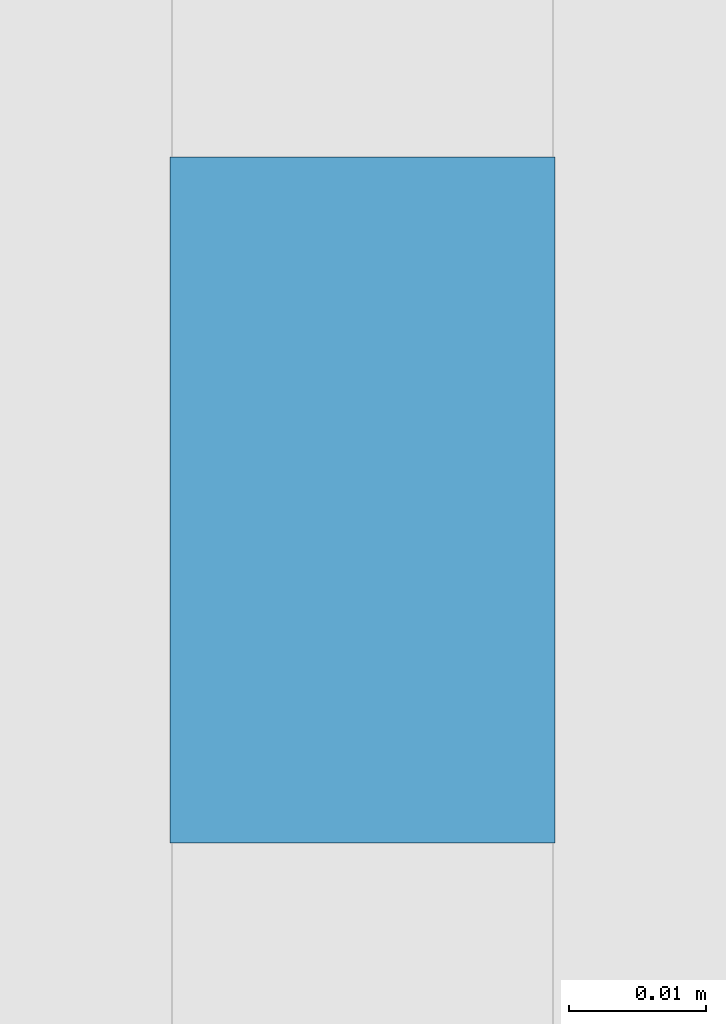
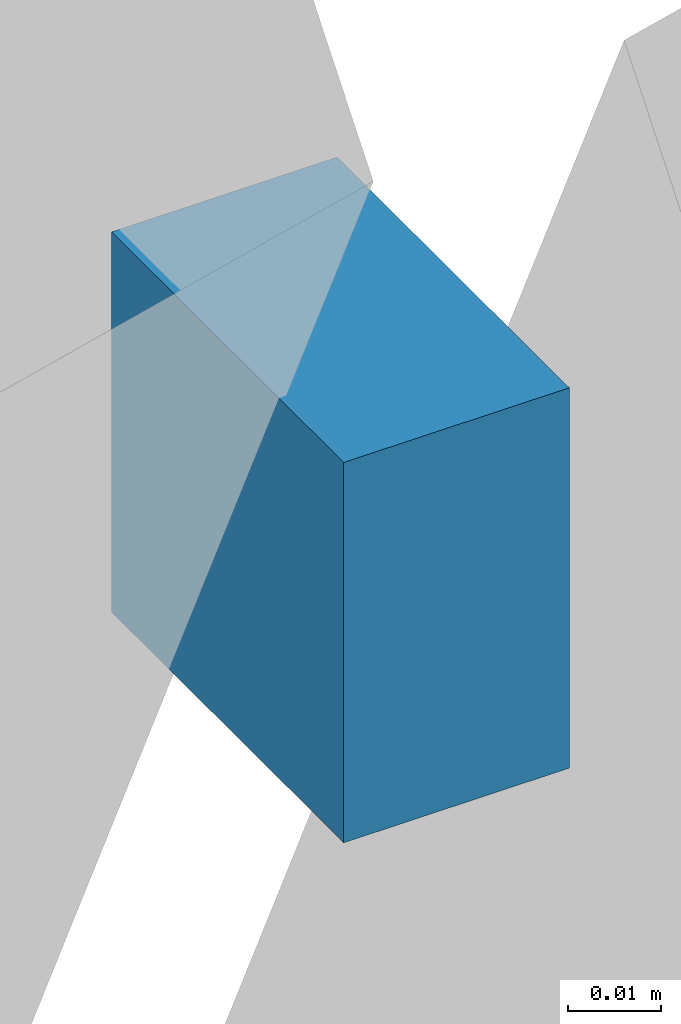
# One storey, part 19 of 24: 1 discrete accessory, 1 element without a shape of its own.
"""IFC4 building model written with IfcOpenShell, lengths in metres."""

from ifc_helpers import new_model, si_unit, direction, frame, origin, origin_2d, place, context, subcontext, project, spatial, rectangle, extrude, material, type_object, element, aggregate, save


model = new_model("IFC4")

# Units and contexts
model_context = context("Model", 3, precision=1e-05, world=origin(), true_north=direction((0.0, 1.0)))
body_context = subcontext(model_context, "Body", "Model", "MODEL_VIEW")
ifc_project = project(units=[si_unit("LENGTHUNIT", "METRE"), si_unit("AREAUNIT", "SQUARE_METRE"), si_unit("VOLUMEUNIT", "CUBIC_METRE"), si_unit("PLANEANGLEUNIT", "RADIAN"), si_unit("MASSUNIT", "GRAM", prefix="KILO")], contexts=[model_context])

# Site, building, storey
site_placement = place(None, origin())
site = spatial("IfcSite", under=ifc_project, at=site_placement, CompositionType="ELEMENT")
building_placement = place(site_placement, origin())
building = spatial("IfcBuilding", under=site, at=building_placement, Name="Tessera Arch", CompositionType="ELEMENT")
storey_placement = place(building_placement, frame((0.0, 0.0, 81.60009765625)))
storey = spatial("IfcBuildingStorey", under=building, at=storey_placement, Name="L18", CompositionType="ELEMENT", Elevation=81.60009765625)

# Curtain wall, discrete accessory
ifc_material = material(Name="CW3 curtain wall")
curtain_wall_type = type_object("IfcCurtainWallType", Name="CW3 curtain wall", PredefinedType="NOTDEFINED", material=ifc_material)
curtain_wall_placement = place(storey_placement, origin())
curtain_wall = element("IfcCurtainWall", 1, at=curtain_wall_placement, inside=storey, type_object=curtain_wall_type, Name="CW3 curtain wall E54.0/2 L18", PredefinedType="NOTDEFINED")
discrete_accessory_placement = place(storey_placement, frame((54.0439453125, 22.935546875, 0.89453125), z_axis=(0.0, 0.0, 1.0), x_axis=(0.0, 1.0, 0.0)))
discrete_accessory = element("IfcDiscreteAccessory", 2, at=discrete_accessory_placement, Name="Glazing bracket", PredefinedType="BRACKET", context=body_context, shape_type="SweptSolid", body=[
    extrude(rectangle(XDim=0.050048828125, YDim=0.028076171875, at=origin_2d()), origin(), (0.0, 0.0, 1.0), 0.050048828125),
])
aggregate(curtain_wall, [discrete_accessory])

save(model, "model.ifc")
